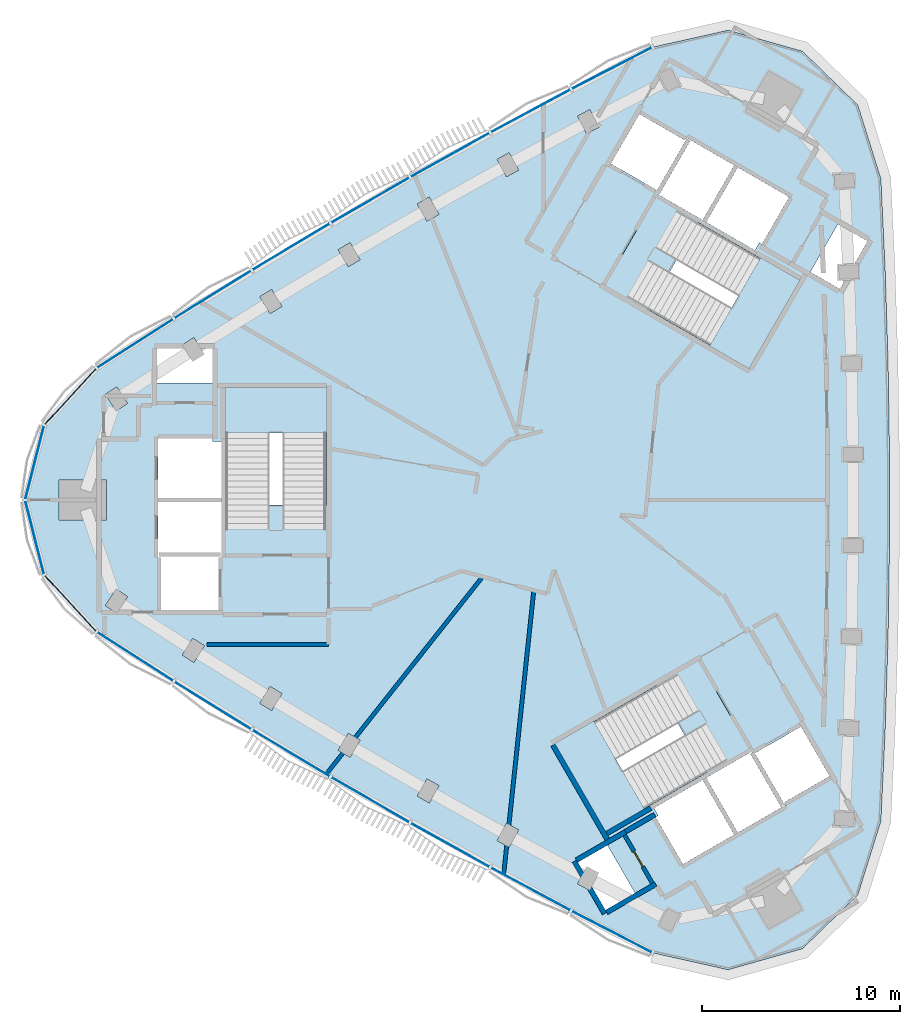
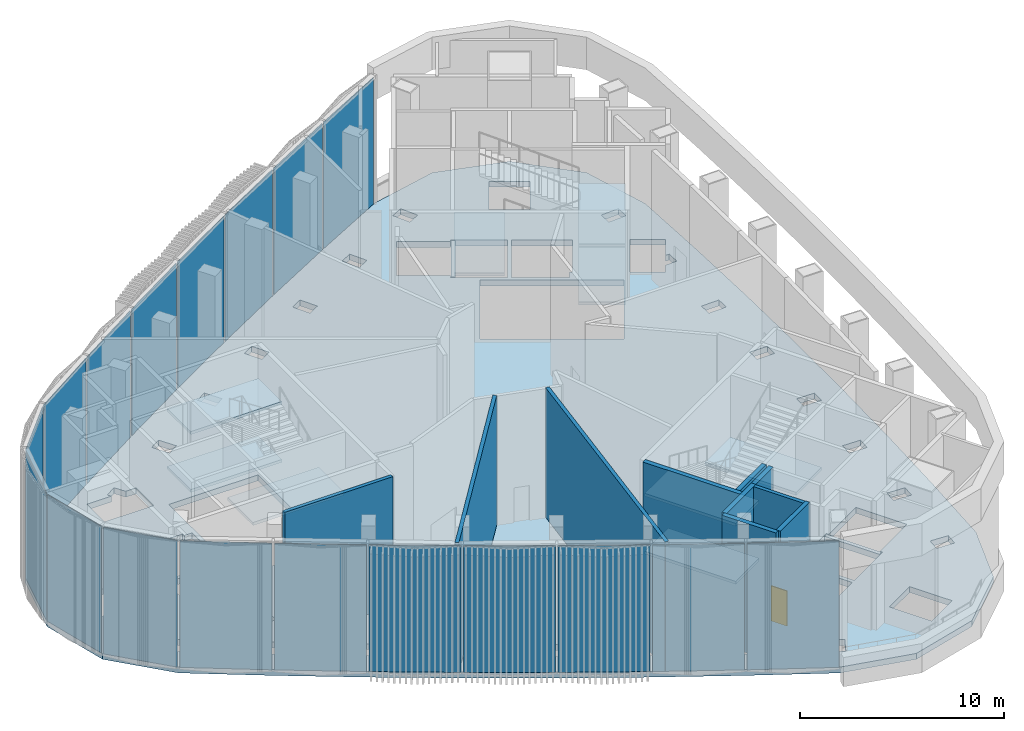
# One storey, part 2 of 11: 18 plates, 10 slabs, 10 walls, 1 door, 1 opening, 5 elements without a shape of their own.
"""IFC4 building model written with IfcOpenShell, lengths in metres."""

from ifc_helpers import new_model, si_unit, direction, frame, frame_2d, origin, origin_2d, place, context, subcontext, project, spatial, polyline, rectangle, outline, extrude, material, layer, layer_set, type_object, element, fill, aggregate, save


model = new_model("IFC4")

# Units and contexts
model_context = context("Model", 3, precision=1e-05, world=origin(), true_north=direction((0.0, 1.0)))
body_context = subcontext(model_context, "Body", "Model", "MODEL_VIEW")
ifc_project = project(units=[si_unit("LENGTHUNIT", "METRE"), si_unit("AREAUNIT", "SQUARE_METRE"), si_unit("VOLUMEUNIT", "CUBIC_METRE"), si_unit("PLANEANGLEUNIT", "RADIAN"), si_unit("MASSUNIT", "GRAM", prefix="KILO")], contexts=[model_context])

# Site, building, storey
site_placement = place(None, origin())
site = spatial("IfcSite", under=ifc_project, at=site_placement, CompositionType="ELEMENT")
building_placement = place(site_placement, origin())
building = spatial("IfcBuilding", under=site, at=building_placement, Name="Tamra Quay Hotel Tower", CompositionType="ELEMENT")
storey_placement = place(building_placement, frame((0.0, 0.0, 312.60009765625)))
storey = spatial("IfcBuildingStorey", under=building, at=storey_placement, Name="L78", CompositionType="ELEMENT", Elevation=312.60009765625)

# Stair, slabs
ifc_material_1 = material(Name="Exit stair 2200 60 risers 133.3 going 305")
stair_type = type_object("IfcStairType", Name="Exit stair 2200 60 risers 133.3 going 305", PredefinedType="HALF_TURN_STAIR", material=ifc_material_1)
stair_1_placement = place(storey_placement, origin())
stair_1 = element("IfcStair", 1, at=stair_1_placement, inside=storey, type_object=stair_type, Name="L78 Exit stair ST3", PredefinedType="HALF_TURN_STAIR")
ifc_material_2 = material(Name="Concrete M70", Category="concrete")
ifc_layer_1 = layer(ifc_material_2, 0.175048828125)
ifc_layer_set_1 = layer_set([ifc_layer_1], Name="Concrete M70 stair landing 180")
slab_type_1 = type_object("IfcSlabType", Name="Concrete M70 stair landing 180", PredefinedType="LANDING", material=ifc_layer_set_1)
slab_1_placement = place(storey_placement, frame((0.0, 0.0, 2.091552734375)))
slab_1 = element("IfcSlab", 2, at=slab_1_placement, type_object=slab_type_1, Name="ST3 landing 1", PredefinedType="LANDING", context=body_context, shape_type="SweptSolid", body=[
    extrude(outline(polyline([(-10.932373046875, 3.3798828125), (-10.932373046875, 5.679931640625), (-16.09130859375, 5.679931640625), (-16.09130859375, 3.3798828125), (-10.932373046875, 3.3798828125)])), origin(), (0.0, 0.0, 1.0), 0.175048828125),
])
slab_2_placement = place(storey_placement, frame((0.0, 0.0, 3.824951171875)))
slab_2 = element("IfcSlab", 3, at=slab_2_placement, type_object=slab_type_1, Name="ST3 landing 2", PredefinedType="LANDING", context=body_context, shape_type="SweptSolid", body=[
    extrude(outline(polyline([(-10.932373046875, -2.72998046875), (-10.932373046875, -0.239990234375), (-16.09130859375, -0.239990234375), (-16.09130859375, -2.72998046875), (-10.932373046875, -2.72998046875)])), origin(), (0.0, 0.0, 1.0), 0.175048828125),
])
slab_3_placement = place(storey_placement, frame((0.0, 0.0, 5.558349609375)))
slab_3 = element("IfcSlab", 4, at=slab_3_placement, type_object=slab_type_1, Name="ST3 landing 3", PredefinedType="LANDING", context=body_context, shape_type="SweptSolid", body=[
    extrude(outline(polyline([(-10.932373046875, 3.3798828125), (-10.932373046875, 5.679931640625), (-16.09130859375, 5.679931640625), (-16.09130859375, 3.3798828125), (-10.932373046875, 3.3798828125)])), origin(), (0.0, 0.0, 1.0), 0.1748046875),
])
aggregate(stair_1, [slab_1, slab_2, slab_3])

stair_2_placement = place(storey_placement, origin())
stair_2 = element("IfcStair", 5, at=stair_2_placement, inside=storey, type_object=stair_type, Name="L78 Exit stair ST1", PredefinedType="HALF_TURN_STAIR")
slab_4_placement = place(storey_placement, frame((0.0, 0.0, 2.091552734375)))
slab_4 = element("IfcSlab", 6, at=slab_4_placement, type_object=slab_type_1, Name="ST1 landing 1", PredefinedType="LANDING", context=body_context, shape_type="SweptSolid", body=[
    extrude(outline(polyline([(8.393310546875, 7.777587890625), (10.385009765625, 6.627685546875), (12.964599609375, 11.095458984375), (10.97265625, 12.24560546875), (8.393310546875, 7.777587890625)])), origin(), (0.0, 0.0, 1.0), 0.175048828125),
])
slab_5_placement = place(storey_placement, frame((0.0, 0.0, 3.824951171875)))
slab_5 = element("IfcSlab", 7, at=slab_5_placement, type_object=slab_type_1, Name="ST1 landing 2", PredefinedType="LANDING", context=body_context, shape_type="SweptSolid", body=[
    extrude(outline(polyline([(3.101806640625, 10.832763671875), (5.25830078125, 9.587646484375), (7.837646484375, 14.055419921875), (5.681396484375, 15.300537109375), (3.101806640625, 10.832763671875)])), origin(), (0.0, 0.0, 1.0), 0.175048828125),
])
slab_6_placement = place(storey_placement, frame((0.0, 0.0, 5.558349609375)))
slab_6 = element("IfcSlab", 8, at=slab_6_placement, type_object=slab_type_1, Name="ST1 landing 3", PredefinedType="LANDING", context=body_context, shape_type="SweptSolid", body=[
    extrude(outline(polyline([(8.393310546875, 7.777587890625), (10.385009765625, 6.627685546875), (12.964599609375, 11.095458984375), (10.97265625, 12.24560546875), (8.393310546875, 7.777587890625)])), origin(), (0.0, 0.0, 1.0), 0.1748046875),
])
aggregate(stair_2, [slab_4, slab_5, slab_6])

stair_3_placement = place(storey_placement, origin())
stair_3 = element("IfcStair", 9, at=stair_3_placement, inside=storey, type_object=stair_type, Name="L78 Exit stair ST2", PredefinedType="HALF_TURN_STAIR")
slab_7_placement = place(storey_placement, frame((0.0, 0.0, 2.091552734375)))
slab_7 = element("IfcSlab", 10, at=slab_7_placement, type_object=slab_type_1, Name="ST2 landing 1", PredefinedType="LANDING", context=body_context, shape_type="SweptSolid", body=[
    extrude(outline(polyline([(2.5390625, -11.157470703125), (0.547119140625, -12.3076171875), (3.126708984375, -16.775390625), (5.11865234375, -15.62548828125), (2.5390625, -11.157470703125)])), origin(), (0.0, 0.0, 1.0), 0.175048828125),
])
slab_8_placement = place(storey_placement, frame((0.0, 0.0, 3.824951171875)))
slab_8 = element("IfcSlab", 11, at=slab_8_placement, type_object=slab_type_1, Name="ST2 landing 2", PredefinedType="LANDING", context=body_context, shape_type="SweptSolid", body=[
    extrude(outline(polyline([(7.83056640625, -8.1025390625), (5.674072265625, -9.34765625), (8.253662109375, -13.8154296875), (10.409912109375, -12.5703125), (7.83056640625, -8.1025390625)])), origin(), (0.0, 0.0, 1.0), 0.175048828125),
])
slab_9_placement = place(storey_placement, frame((0.0, 0.0, 5.558349609375)))
slab_9 = element("IfcSlab", 12, at=slab_9_placement, type_object=slab_type_1, Name="ST2 landing 3", PredefinedType="LANDING", context=body_context, shape_type="SweptSolid", body=[
    extrude(outline(polyline([(2.5390625, -11.157470703125), (0.547119140625, -12.3076171875), (3.126708984375, -16.775390625), (5.11865234375, -15.62548828125), (2.5390625, -11.157470703125)])), origin(), (0.0, 0.0, 1.0), 0.1748046875),
])
aggregate(stair_3, [slab_7, slab_8, slab_9])

# Slab
ifc_material_3 = material(Name="Concrete M60", Category="concrete")
ifc_layer_2 = layer(ifc_material_3, 0.35009765625)
ifc_layer_set_2 = layer_set([ifc_layer_2], Name="FLOOR SLAB PT 350")
slab_type_2 = type_object("IfcSlabType", Name="FLOOR SLAB PT 350", PredefinedType="FLOOR", material=ifc_layer_set_2)
slab_10_placement = place(storey_placement, frame((0.0, 0.0, -0.35009765625)))
element("IfcSlab", 13, at=slab_10_placement, inside=storey, type_object=slab_type_2, Name="SLAB-L78", PredefinedType="FLOOR", context=body_context, shape_type="SweptSolid", body=[
    extrude(outline(polyline([(17.266845703125, 11.586669921875), (17.41162109375, 6.953857421875), (17.484130859375, 2.318115234375), (17.484130859375, -2.318115234375), (17.41162109375, -6.953857421875), (17.266845703125, -11.586669921875), (17.0498046875, -16.218505859375), (15.884765625, -19.944580078125), (13.086669921875, -22.666748046875), (9.330078125, -23.72900390625), (5.520751953125, -22.874755859375), (1.40087890625, -20.746826171875), (-2.68359375, -18.555908203125), (-6.734619140625, -16.30078125), (-10.74951171875, -13.982666015625), (-14.72802734375, -11.601806640625), (-18.667724609375, -9.16015625), (-22.570556640625, -6.65625), (-25.21484375, -3.784423828125), (-26.17333984375, 0.0), (-25.21484375, 3.784423828125), (-22.570556640625, 6.65625), (-18.667724609375, 9.16015625), (-14.72802734375, 11.601806640625), (-10.74951171875, 13.982666015625), (-6.734619140625, 16.30078125), (-2.68359375, 18.555908203125), (1.40087890625, 20.746826171875), (5.520751953125, 22.874755859375), (9.330078125, 23.72900390625), (13.086669921875, 22.666748046875), (15.884765625, 19.944580078125), (17.0498046875, 16.218505859375), (17.266845703125, 11.586669921875)]), holes=[polyline([(-10.3671875, -12.641357421875), (-9.763671875, -12.99609375), (-9.2568359375, -12.13427734375), (-9.8603515625, -11.779296875), (-10.3671875, -12.641357421875)]), polyline([(-14.324462890625, -10.26708984375), (-13.7265625, -10.63134765625), (-13.206298828125, -9.77734375), (-13.803955078125, -9.4130859375), (-14.324462890625, -10.26708984375)]), polyline([(-18.244140625, -7.831298828125), (-17.652099609375, -8.20458984375), (-17.118896484375, -7.358642578125), (-17.7109375, -6.9853515625), (-18.244140625, -7.831298828125)]), polyline([(-21.57861328125, -4.497314453125), (-22.125244140625, -5.33447265625), (-21.539306640625, -5.71728515625), (-20.992431640625, -4.880126953125), (-21.57861328125, -4.497314453125)]), polyline([(-16.3173828125, -2.85498046875), (-19.4072265625, -2.85498046875), (-19.4072265625, -2.89306640625), (-19.307373046875, -2.89306640625), (-19.307373046875, -5.544921875), (-16.417236328125, -5.544921875), (-16.417236328125, -2.89306640625), (-16.3173828125, -2.89306640625), (-16.3173828125, -2.85498046875)]), polyline([(-19.417236328125, -2.64501953125), (-16.307373046875, -2.64501953125), (-16.307373046875, -2.89306640625), (-16.26708984375, -2.89306640625), (-16.26708984375, -0.10498046875), (-19.45751953125, -0.10498046875), (-19.45751953125, -2.89306640625), (-19.417236328125, -2.89306640625), (-19.417236328125, -2.64501953125)]), polyline([(-24.473388671875, 1.0), (-24.473388671875, -1.0), (-22.073486328125, -1.0), (-22.073486328125, 1.0), (-24.473388671875, 1.0)]), polyline([(-16.707275390625, 2.945068359375), (-16.707275390625, 3.09521484375), (-19.45751953125, 3.09521484375), (-19.45751953125, 0.10498046875), (-16.26708984375, 0.10498046875), (-16.26708984375, 2.945068359375), (-16.707275390625, 2.945068359375)]), polyline([(-16.036376953125, -1.455078125), (-10.9873046875, -1.455078125), (-10.9873046875, 5.625), (-16.036376953125, 5.625), (-16.036376953125, -1.455078125)]), polyline([(-20.992431640625, 4.880126953125), (-21.539306640625, 5.71728515625), (-22.125244140625, 5.33447265625), (-21.57861328125, 4.497314453125), (-20.992431640625, 4.880126953125)]), polyline([(-17.29931640625, 7.64501953125), (-17.652099609375, 8.20458984375), (-18.244140625, 7.831298828125), (-18.126708984375, 7.64501953125), (-19.50732421875, 7.64501953125), (-19.50732421875, 5.9150390625), (-16.71728515625, 5.9150390625), (-16.71728515625, 7.64501953125), (-17.29931640625, 7.64501953125)]), polyline([(-13.7265625, 10.63134765625), (-14.324462890625, 10.26708984375), (-13.803955078125, 9.4130859375), (-13.206298828125, 9.77734375), (-13.7265625, 10.63134765625)]), polyline([(-9.2568359375, 12.13427734375), (-9.763671875, 12.99609375), (-10.3671875, 12.641357421875), (-9.8603515625, 11.779296875), (-9.2568359375, 12.13427734375)]), polyline([(6.27001953125, -20.6201171875), (5.818359375, -21.51220703125), (6.44287109375, -21.828369140625), (6.89453125, -20.936279296875), (6.27001953125, -20.6201171875)]), polyline([(1.73779296875, -18.300048828125), (2.02880859375, -18.80419921875), (1.720703125, -19.389404296875), (2.33984375, -19.715576171875), (2.442626953125, -19.520751953125), (3.1328125, -20.71630859375), (4.631103515625, -19.851318359375), (3.236083984375, -17.43505859375), (1.73779296875, -18.300048828125)]), polyline([(-1.864501953125, -16.32568359375), (-2.34375, -17.203369140625), (-1.7294921875, -17.538818359375), (-1.25, -16.6611328125), (-1.864501953125, -16.32568359375)]), polyline([(5.80322265625, -15.94140625), (5.673095703125, -16.0166015625), (7.04833984375, -18.398193359375), (9.6376953125, -16.903076171875), (8.042724609375, -14.14013671875), (5.5830078125, -15.560302734375), (5.80322265625, -15.94140625)]), polyline([(-5.880126953125, -14.083740234375), (-6.373291015625, -14.95361328125), (-5.764404296875, -15.298828125), (-5.271240234375, -14.428955078125), (-5.880126953125, -14.083740234375)]), polyline([(9.2783203125, -13.160400390625), (6.75390625, -8.78759765625), (0.622314453125, -12.32763671875), (3.146728515625, -16.7001953125), (9.2783203125, -13.160400390625)]), polyline([(4.2333984375, 10.242919921875), (10.364990234375, 6.702880859375), (12.889404296875, 11.075439453125), (6.758056640625, 14.615478515625), (4.2333984375, 10.242919921875)]), polyline([(-5.764404296875, 15.298828125), (-6.373291015625, 14.95361328125), (-5.880126953125, 14.083740234375), (-5.271240234375, 14.428955078125), (-5.764404296875, 15.298828125)]), polyline([(7.41796875, 18.138427734375), (5.863037109375, 15.445068359375), (5.648193359375, 15.569091796875), (5.628173828125, 15.5341796875), (8.04248046875, 14.140380859375), (9.6376953125, 16.903076171875), (7.22314453125, 18.297119140625), (7.203125, 18.262451171875), (7.41796875, 18.138427734375)]), polyline([(-1.25, 16.6611328125), (-1.7294921875, 17.538818359375), (-2.34375, 17.203369140625), (-1.864501953125, 16.32568359375), (-1.25, 16.6611328125)]), polyline([(5.68603515625, 15.55859375), (7.231201171875, 18.234619140625), (7.1982421875, 18.253662109375), (7.148193359375, 18.1669921875), (4.8515625, 19.4931640625), (3.406494140625, 16.990234375), (5.703125, 15.664306640625), (5.6533203125, 15.57763671875), (5.68603515625, 15.55859375)]), polyline([(2.33984375, 19.715576171875), (1.720703125, 19.389404296875), (2.186767578125, 18.504638671875), (2.805908203125, 18.830810546875), (2.33984375, 19.715576171875)]), polyline([(6.44287109375, 21.828369140625), (5.818359375, 21.51220703125), (6.27001953125, 20.6201171875), (6.89453125, 20.936279296875), (6.44287109375, 21.828369140625)]), polyline([(11.37060546875, -21.694580078125), (13.102783203125, -20.694580078125), (11.902587890625, -18.6162109375), (10.170654296875, -19.6162109375), (11.37060546875, -21.694580078125)]), polyline([(14.68408203125, -16.43896484375), (15.6826171875, -16.493896484375), (15.720947265625, -15.794921875), (14.722412109375, -15.739990234375), (14.68408203125, -16.43896484375)]), polyline([(12.214111328125, -15.369384765625), (11.999267578125, -15.493408203125), (10.4443359375, -12.800048828125), (10.6591796875, -12.676025390625), (10.63916015625, -12.64111328125), (8.224609375, -14.03515625), (9.819580078125, -16.798095703125), (12.234130859375, -15.404052734375), (12.214111328125, -15.369384765625)]), polyline([(12.176025390625, -15.379638671875), (12.208984375, -15.360595703125), (12.1591796875, -15.274169921875), (14.455810546875, -13.947998046875), (13.0107421875, -11.4453125), (10.714111328125, -12.771240234375), (10.6640625, -12.6845703125), (10.631103515625, -12.70361328125), (12.176025390625, -15.379638671875)]), polyline([(15.904296875, -11.88427734375), (15.931396484375, -11.184814453125), (14.93212890625, -11.14599609375), (14.905029296875, -11.845703125), (15.904296875, -11.88427734375)]), polyline([(16.0537109375, -7.271728515625), (16.0703125, -6.572021484375), (15.070556640625, -6.548095703125), (15.053955078125, -7.247802734375), (16.0537109375, -7.271728515625)]), polyline([(15.13134765625, -2.6494140625), (16.13134765625, -2.657470703125), (16.136962890625, -1.95751953125), (15.136962890625, -1.94970703125), (15.13134765625, -2.6494140625)]), polyline([(15.136962890625, 1.94970703125), (16.136962890625, 1.95751953125), (16.13134765625, 2.657470703125), (15.13134765625, 2.6494140625), (15.136962890625, 1.94970703125)]), polyline([(16.0703125, 6.572021484375), (16.0537109375, 7.271728515625), (15.053955078125, 7.247802734375), (15.070556640625, 6.548095703125), (16.0703125, 6.572021484375)]), polyline([(13.481201171875, 11.52001953125), (14.9794921875, 10.655029296875), (15.2705078125, 11.1591796875), (15.931396484375, 11.184814453125), (15.904296875, 11.88427734375), (15.68408203125, 11.875732421875), (16.37451171875, 13.0712890625), (14.876220703125, 13.936279296875), (13.481201171875, 11.52001953125)]), polyline([(10.904052734375, 12.996337890625), (11.0341796875, 12.92138671875), (12.4091796875, 15.302978515625), (9.819580078125, 16.798095703125), (8.224365234375, 14.035400390625), (10.68408203125, 12.615234375), (10.904052734375, 12.996337890625)]), polyline([(14.722412109375, 15.739990234375), (15.720947265625, 15.794921875), (15.6826171875, 16.493896484375), (14.68408203125, 16.43896484375), (14.722412109375, 15.739990234375)]), polyline([(11.902587890625, 18.6162109375), (13.102783203125, 20.694580078125), (11.37060546875, 21.694580078125), (10.170654296875, 19.6162109375), (11.902587890625, 18.6162109375)])]), origin(), (0.0, 0.0, 1.0), 0.35009765625),
])

# Curtain wall, plates
ifc_material_4 = material(Name="Aluminium 6063 anodised dark grey", Category="aluminium")
curtain_wall_type = type_object("IfcCurtainWallType", Name="CW5 CURTAIN WALL", PredefinedType="NOTDEFINED", material=ifc_material_4)
curtain_wall_1_placement = place(storey_placement, origin())
curtain_wall_1 = element("IfcCurtainWall", 14, at=curtain_wall_1_placement, inside=storey, type_object=curtain_wall_type, Name="CW5 north-west face L78", PredefinedType="NOTDEFINED")
ifc_material_5 = material(Name="Glass clear laminated low-iron", Category="glass")
ifc_layer_3 = layer(ifc_material_5, 0.0400390625)
ifc_layer_set_3 = layer_set([ifc_layer_3], Name="GLASS PANEL CW5")
plate_type = type_object("IfcPlateType", Name="GLASS PANEL CW5", PredefinedType="CURTAIN_PANEL", material=ifc_layer_set_3)
plate_1_placement = place(storey_placement, frame((3.4609375, 21.810791015625, 0.0), z_axis=(0.0, 0.0, 1.0), x_axis=(-0.888486247653, -0.458903244412, 0.0)))
plate_1 = element("IfcPlate", 15, at=plate_1_placement, type_object=plate_type, Name="CW5 glass L78.NW.1", PredefinedType="CURTAIN_PANEL", context=body_context, shape_type="SweptSolid", body=[
    extrude(rectangle(XDim=4.516845703125, YDim=0.0400390625, at=origin_2d()), origin(), (0.0, 0.0, 1.0), 7.570068359375),
])
plate_2_placement = place(storey_placement, frame((-0.641357421875, 19.6513671875, 0.0), z_axis=(0.0, 0.0, 1.0), x_axis=(-0.881223556272, -0.472699739657, 0.0)))
plate_2 = element("IfcPlate", 16, at=plate_2_placement, type_object=plate_type, Name="CW5 glass L78.NW.2", PredefinedType="CURTAIN_PANEL", context=body_context, shape_type="SweptSolid", body=[
    extrude(rectangle(XDim=4.51513671875, YDim=0.0400390625, at=origin_2d()), origin(), (0.0, 0.0, 1.0), 7.570068359375),
])
plate_3_placement = place(storey_placement, frame((-4.708984375, 17.42822265625, 0.0), z_axis=(0.0, 0.0, 1.0), x_axis=(-0.873735829625, -0.48640076072, 0.0)))
plate_3 = element("IfcPlate", 17, at=plate_3_placement, type_object=plate_type, Name="CW5 glass L78.NW.3", PredefinedType="CURTAIN_PANEL", context=body_context, shape_type="SweptSolid", body=[
    extrude(rectangle(XDim=4.516357421875, YDim=0.0400390625, at=origin_2d()), origin(), (0.0, 0.0, 1.0), 7.570068359375),
])
plate_4_placement = place(storey_placement, frame((-8.741943359375, 15.1416015625, 0.0), z_axis=(0.0, 0.0, 1.0), x_axis=(-0.866025403784, -0.5, 0.0)))
plate_4 = element("IfcPlate", 18, at=plate_4_placement, type_object=plate_type, Name="CW5 glass L78.NW.4", PredefinedType="CURTAIN_PANEL", context=body_context, shape_type="SweptSolid", body=[
    extrude(rectangle(XDim=4.516357421875, YDim=0.0400390625, at=origin_2d()), origin(), (0.0, 0.0, 1.0), 7.570068359375),
])
plate_5_placement = place(storey_placement, frame((-12.73876953125, 12.792236328125, 0.0), z_axis=(0.0, 0.0, 1.0), x_axis=(-0.858103330016, -0.513477044292, 0.0)))
plate_5 = element("IfcPlate", 19, at=plate_5_placement, type_object=plate_type, Name="CW5 glass L78.NW.5", PredefinedType="CURTAIN_PANEL", context=body_context, shape_type="SweptSolid", body=[
    extrude(rectangle(XDim=4.516357421875, YDim=0.0400390625, at=origin_2d()), origin(), (0.0, 0.0, 1.0), 7.570068359375),
])
plate_6_placement = place(storey_placement, frame((-16.697998046875, 10.381103515625, 0.0), z_axis=(0.0, 0.0, 1.0), x_axis=(-0.849981761041, -0.526812116316, 0.0)))
plate_6 = element("IfcPlate", 20, at=plate_6_placement, type_object=plate_type, Name="CW5 glass L78.NW.6", PredefinedType="CURTAIN_PANEL", context=body_context, shape_type="SweptSolid", body=[
    extrude(rectangle(XDim=4.51513671875, YDim=0.0400390625, at=origin_2d()), origin(), (0.0, 0.0, 1.0), 7.570068359375),
])
plate_7_placement = place(storey_placement, frame((-20.619140625, 7.908203125, 0.0), z_axis=(0.0, 0.0, 1.0), x_axis=(-0.841664991367, -0.540000039174, 0.0)))
plate_7 = element("IfcPlate", 21, at=plate_7_placement, type_object=plate_type, Name="CW5 glass L78.NW.7", PredefinedType="CURTAIN_PANEL", context=body_context, shape_type="SweptSolid", body=[
    extrude(rectangle(XDim=4.516845703125, YDim=0.0400390625, at=origin_2d()), origin(), (0.0, 0.0, 1.0), 7.570068359375),
])
plate_8_placement = place(storey_placement, frame((-23.892578125, 5.22021484375, 0.0), z_axis=(0.0, 0.0, 1.0), x_axis=(-0.67737593284, -0.735637033875, 0.0)))
plate_8 = element("IfcPlate", 22, at=plate_8_placement, type_object=plate_type, Name="CW5 glass L78.NW.8", PredefinedType="CURTAIN_PANEL", context=body_context, shape_type="SweptSolid", body=[
    extrude(rectangle(XDim=3.783935546875, YDim=0.0400390625, at=origin_2d()), origin(), (0.0, 0.0, 1.0), 7.570068359375),
])
plate_9_placement = place(storey_placement, frame((-25.694091796875, 1.89208984375, 0.0), z_axis=(0.0, 0.0, 1.0), x_axis=(-0.245526933255, -0.969389769415, 0.0)))
plate_9 = element("IfcPlate", 23, at=plate_9_placement, type_object=plate_type, Name="CW5 glass L78.NW.9", PredefinedType="CURTAIN_PANEL", context=body_context, shape_type="SweptSolid", body=[
    extrude(rectangle(XDim=3.783935546875, YDim=0.0400390625, at=origin_2d()), origin(), (0.0, 0.0, 1.0), 7.570068359375),
])
plate_10_placement = place(storey_placement, frame((-25.694091796875, -1.89208984375, 0.0), z_axis=(0.0, 0.0, 1.0), x_axis=(0.245526933255, -0.969389769415, 0.0)))
plate_10 = element("IfcPlate", 24, at=plate_10_placement, type_object=plate_type, Name="CW5 glass L78.NW.10", PredefinedType="CURTAIN_PANEL", context=body_context, shape_type="SweptSolid", body=[
    extrude(rectangle(XDim=3.783935546875, YDim=0.0400390625, at=origin_2d()), origin(), (0.0, 0.0, 1.0), 7.570068359375),
])
plate_11_placement = place(storey_placement, frame((-23.892578125, -5.22021484375, 0.0), z_axis=(0.0, 0.0, 1.0), x_axis=(0.67737593284, -0.735637033875, 0.0)))
plate_11 = element("IfcPlate", 25, at=plate_11_placement, type_object=plate_type, Name="CW5 glass L78.NW.11", PredefinedType="CURTAIN_PANEL", context=body_context, shape_type="SweptSolid", body=[
    extrude(rectangle(XDim=3.783935546875, YDim=0.0400390625, at=origin_2d()), origin(), (0.0, 0.0, 1.0), 7.570068359375),
])
aggregate(curtain_wall_1, [plate_1, plate_2, plate_3, plate_4, plate_5, plate_6, plate_7, plate_8, plate_9, plate_10, plate_11])

curtain_wall_2_placement = place(storey_placement, origin())
curtain_wall_2 = element("IfcCurtainWall", 26, at=curtain_wall_2_placement, inside=storey, type_object=curtain_wall_type, Name="CW5 south-west face L78", PredefinedType="NOTDEFINED")
plate_12_placement = place(storey_placement, frame((-20.619140625, -7.908203125, 0.0), z_axis=(0.0, 0.0, 1.0), x_axis=(0.841664991367, -0.540000039174, 0.0)))
plate_12 = element("IfcPlate", 27, at=plate_12_placement, type_object=plate_type, Name="CW5 glass L78.SW.1", PredefinedType="CURTAIN_PANEL", context=body_context, shape_type="SweptSolid", body=[
    extrude(rectangle(XDim=4.516845703125, YDim=0.0400390625, at=origin_2d()), origin(), (0.0, 0.0, 1.0), 7.570068359375),
])
plate_13_placement = place(storey_placement, frame((-16.697998046875, -10.381103515625, 0.0), z_axis=(0.0, 0.0, 1.0), x_axis=(0.849981761041, -0.526812116316, 0.0)))
plate_13 = element("IfcPlate", 28, at=plate_13_placement, type_object=plate_type, Name="CW5 glass L78.SW.2", PredefinedType="CURTAIN_PANEL", context=body_context, shape_type="SweptSolid", body=[
    extrude(rectangle(XDim=4.51513671875, YDim=0.0400390625, at=origin_2d()), origin(), (0.0, 0.0, 1.0), 7.570068359375),
])
plate_14_placement = place(storey_placement, frame((-12.73876953125, -12.792236328125, 0.0), z_axis=(0.0, 0.0, 1.0), x_axis=(0.858103330016, -0.513477044292, 0.0)))
plate_14 = element("IfcPlate", 29, at=plate_14_placement, type_object=plate_type, Name="CW5 glass L78.SW.3", PredefinedType="CURTAIN_PANEL", context=body_context, shape_type="SweptSolid", body=[
    extrude(rectangle(XDim=4.516357421875, YDim=0.0400390625, at=origin_2d()), origin(), (0.0, 0.0, 1.0), 7.570068359375),
])
plate_15_placement = place(storey_placement, frame((-8.741943359375, -15.1416015625, 0.0), z_axis=(0.0, 0.0, 1.0), x_axis=(0.866025403784, -0.5, 0.0)))
plate_15 = element("IfcPlate", 30, at=plate_15_placement, type_object=plate_type, Name="CW5 glass L78.SW.4", PredefinedType="CURTAIN_PANEL", context=body_context, shape_type="SweptSolid", body=[
    extrude(rectangle(XDim=4.516357421875, YDim=0.0400390625, at=origin_2d()), origin(), (0.0, 0.0, 1.0), 7.570068359375),
])
plate_16_placement = place(storey_placement, frame((-4.708984375, -17.42822265625, 0.0), z_axis=(0.0, 0.0, 1.0), x_axis=(0.873735829625, -0.48640076072, 0.0)))
plate_16 = element("IfcPlate", 31, at=plate_16_placement, type_object=plate_type, Name="CW5 glass L78.SW.5", PredefinedType="CURTAIN_PANEL", context=body_context, shape_type="SweptSolid", body=[
    extrude(rectangle(XDim=4.516357421875, YDim=0.0400390625, at=origin_2d()), origin(), (0.0, 0.0, 1.0), 7.570068359375),
])
plate_17_placement = place(storey_placement, frame((-0.641357421875, -19.6513671875, 0.0), z_axis=(0.0, 0.0, 1.0), x_axis=(0.881223556272, -0.472699739657, 0.0)))
plate_17 = element("IfcPlate", 32, at=plate_17_placement, type_object=plate_type, Name="CW5 glass L78.SW.6", PredefinedType="CURTAIN_PANEL", context=body_context, shape_type="SweptSolid", body=[
    extrude(rectangle(XDim=4.51513671875, YDim=0.0400390625, at=origin_2d()), origin(), (0.0, 0.0, 1.0), 7.570068359375),
])
plate_18_placement = place(storey_placement, frame((3.4609375, -21.810791015625, 0.0), z_axis=(0.0, 0.0, 1.0), x_axis=(0.888486247653, -0.458903244412, 0.0)))
plate_18 = element("IfcPlate", 33, at=plate_18_placement, type_object=plate_type, Name="CW5 glass L78.SW.7", PredefinedType="CURTAIN_PANEL", context=body_context, shape_type="SweptSolid", body=[
    extrude(rectangle(XDim=4.516845703125, YDim=0.0400390625, at=origin_2d()), origin(), (0.0, 0.0, 1.0), 7.570068359375),
])
aggregate(curtain_wall_2, [plate_12, plate_13, plate_14, plate_15, plate_16, plate_17, plate_18])

# Wall, opening, door
ifc_layer_4 = layer(ifc_material_2, 0.199951171875)
ifc_layer_set_4 = layer_set([ifc_layer_4], Name="Concrete M70 core wall 200")
wall_type_1 = type_object("IfcWallType", Name="Concrete M70 core wall 200", PredefinedType="SHEAR", material=ifc_layer_set_4)
wall_1_placement = place(storey_placement, frame((5.50341796875, -19.352294921875, 0.0), z_axis=(0.0, 0.0, 1.0), x_axis=(-0.499986818241, 0.866033014143, 0.0)))
wall_1 = element("IfcWall", 34, at=wall_1_placement, inside=storey, type_object=wall_type_1, Name="CW2", PredefinedType="SHEAR", context=body_context, shape_type="SweptSolid", body=[
    extrude(rectangle(XDim=2.7978515625, YDim=0.199951171875, at=frame_2d((1.39892578125, 0.0))), origin(), (0.0, 0.0, 1.0), 7.75),
])
opening_placement = place(wall_1_placement, frame((0.948974609375, 0.0, 0.0)))
opening = element("IfcOpeningElement", 35, at=opening_placement, cuts=wall_1, Name="Opening D1", PredefinedType="OPENING", context=body_context, shape_type="SweptSolid", body=[
    extrude(rectangle(XDim=0.89990234375, YDim=2.10009765625, at=frame_2d((0.449951171875, 1.050048828125))), frame((0.0, 0.10986328125, 0.0), z_axis=(0.0, -1.0, 0.0), x_axis=(1.0, 0.0, 0.0)), (0.0, 0.0, 1.0), 0.219970703125),
])
ifc_material_6 = material(Name="Core door D1 900x2100 LH")
door_type = type_object("IfcDoorType", Name="Core door D1 900x2100 LH", OperationType="NOTDEFINED", PredefinedType="DOOR", material=ifc_material_6)
door_placement = place(opening_placement, origin())
door = element("IfcDoor", 36, at=door_placement, inside=storey, type_object=door_type, Name="D1", OperationType="SINGLE_SWING_LEFT", OverallHeight=2.10009765625, OverallWidth=0.89990234375, PredefinedType="DOOR", context=body_context, shape_type="SweptSolid", body=[
    extrude(rectangle(XDim=0.89990234375, YDim=2.10009765625, at=frame_2d((0.449951171875, 1.050048828125))), frame((0.0, 0.02490234375, 0.0), z_axis=(0.0, -1.0, 0.0), x_axis=(1.0, 0.0, 0.0)), (0.0, 0.0, 1.0), 0.050048828125),
])
fill(opening, door)

# Walls
ifc_layer_5 = layer(ifc_material_2, 0.25)
ifc_layer_set_5 = layer_set([ifc_layer_5], Name="Concrete M70 core wall 250")
wall_type_2 = type_object("IfcWallType", Name="Concrete M70 core wall 250", PredefinedType="SHEAR", material=ifc_layer_set_5)
wall_2_placement = place(storey_placement, frame((3.23486328125, -17.15283203125, 0.0), z_axis=(0.0, 0.0, 1.0), x_axis=(-0.500008851346, 0.866020293397, 0.0)))
element("IfcWall", 37, at=wall_2_placement, inside=storey, type_object=wall_type_2, Name="CW1", PredefinedType="SHEAR", context=body_context, shape_type="SweptSolid", body=[
    extrude(rectangle(XDim=5.509765625, YDim=0.25, at=frame_2d((2.7548828125, 0.0))), origin(), (0.0, 0.0, 1.0), 7.75),
])
wall_3_placement = place(storey_placement, frame((3.085205078125, -20.893798828125, 0.0), z_axis=(0.0, 0.0, 1.0), x_axis=(-0.499978833458, 0.866037623948, 0.0)))
element("IfcWall", 38, at=wall_3_placement, inside=storey, type_object=wall_type_2, Name="CW1", PredefinedType="SHEAR", context=body_context, shape_type="SweptSolid", body=[
    extrude(rectangle(XDim=3.050048828125, YDim=0.25, at=frame_2d((1.52490234375, 0.0))), origin(), (0.0, 0.0, 1.0), 7.75),
])
wall_4_placement = place(storey_placement, frame((1.6689453125, -18.189697265625, 0.0), z_axis=(0.0, 0.0, 1.0), x_axis=(0.866042235819, 0.499970844928, 0.0)))
element("IfcWall", 39, at=wall_4_placement, inside=storey, type_object=wall_type_2, Name="CW1", PredefinedType="SHEAR", context=body_context, shape_type="SweptSolid", body=[
    extrude(rectangle(XDim=2.864501953125, YDim=0.25, at=frame_2d((1.43212890625, 0.0))), origin(), (0.0, 0.0, 1.0), 7.75),
])
wall_5_placement = place(storey_placement, frame((5.6748046875, -19.39892578125, 0.0), z_axis=(0.0, 0.0, 1.0), x_axis=(-0.866026637627, -0.499997862916, 0.0)))
element("IfcWall", 40, at=wall_5_placement, inside=storey, type_object=wall_type_2, Name="CW1", PredefinedType="SHEAR", context=body_context, shape_type="SweptSolid", body=[
    extrude(rectangle(XDim=2.86474609375, YDim=0.25, at=frame_2d((1.432373046875, 0.0))), origin(), (0.0, 0.0, 1.0), 7.75),
])
wall_6_placement = place(storey_placement, frame((5.4306640625, -15.55615234375, 0.0), z_axis=(0.0, 0.0, 1.0), x_axis=(-0.866022940537, -0.500004266446, 0.0)))
element("IfcWall", 41, at=wall_6_placement, inside=storey, type_object=wall_type_2, Name="CW1", PredefinedType="SHEAR", context=body_context, shape_type="SweptSolid", body=[
    extrude(rectangle(XDim=2.57470703125, YDim=0.25, at=frame_2d((1.287353515625, 0.0))), origin(), (0.0, 0.0, 1.0), 7.75),
])
wall_7_placement = place(storey_placement, frame((4.144775390625, -16.748779296875, 0.0), z_axis=(0.0, 0.0, 1.0), x_axis=(0.866038183914, 0.499977863513, 0.0)))
element("IfcWall", 42, at=wall_7_placement, inside=storey, type_object=wall_type_2, Name="CW1", PredefinedType="SHEAR", context=body_context, shape_type="SweptSolid", body=[
    extrude(rectangle(XDim=1.7099609375, YDim=0.25, at=frame_2d((0.85498046875, 0.0))), origin(), (0.0, 0.0, 1.0), 7.75),
])
ifc_material_7 = material(Name="Partition corridor wall")
ifc_layer_6 = layer(ifc_material_7, 0.199951171875)
ifc_layer_set_6 = layer_set([ifc_layer_6], Name="Partition corridor wall")
wall_type_3 = type_object("IfcWallType", Name="Partition corridor wall", PredefinedType="PARTITIONING", material=ifc_layer_set_6)
wall_8_placement = place(storey_placement, frame((-16.990966796875, -7.300048828125, 0.0), z_axis=(0.0, 0.0, 1.0), x_axis=(1.0, 0.0, 0.0)))
element("IfcWall", 43, at=wall_8_placement, inside=storey, type_object=wall_type_3, Name="W-C", PredefinedType="PARTITIONING", context=body_context, shape_type="SweptSolid", body=[
    extrude(rectangle(XDim=6.12890625, YDim=0.199951171875, at=frame_2d((3.064453125, 0.0))), origin(), (0.0, 0.0, 1.0), 7.75),
])
ifc_material_8 = material(Name="Partition party wall")
ifc_layer_7 = layer(ifc_material_8, 0.199951171875)
ifc_layer_set_7 = layer_set([ifc_layer_7], Name="Partition party wall")
wall_type_4 = type_object("IfcWallType", Name="Partition party wall", PredefinedType="PARTITIONING", material=ifc_layer_set_7)
wall_9_placement = place(storey_placement, frame((-10.9677734375, -13.846435546875, 0.0), z_axis=(0.0, 0.0, 1.0), x_axis=(0.620920629301, 0.783873441385, 0.0)))
element("IfcWall", 44, at=wall_9_placement, inside=storey, type_object=wall_type_4, Name="W-P", PredefinedType="PARTITIONING", context=body_context, shape_type="SweptSolid", body=[
    extrude(rectangle(XDim=12.724365234375, YDim=0.199951171875, at=frame_2d((6.3623046875, 0.0))), origin(), (0.0, 0.0, 1.0), 7.75),
])
wall_10_placement = place(storey_placement, frame((-2.0068359375, -18.91357421875, 0.0), z_axis=(0.0, 0.0, 1.0), x_axis=(0.105531923802, 0.99441591553, 0.0)))
element("IfcWall", 45, at=wall_10_placement, inside=storey, type_object=wall_type_4, Name="W-P", PredefinedType="PARTITIONING", context=body_context, shape_type="SweptSolid", body=[
    extrude(rectangle(XDim=14.43115234375, YDim=0.199951171875, at=frame_2d((7.215576171875, 0.0))), origin(), (0.0, 0.0, 1.0), 7.75),
])

save(model, "model.ifc")
